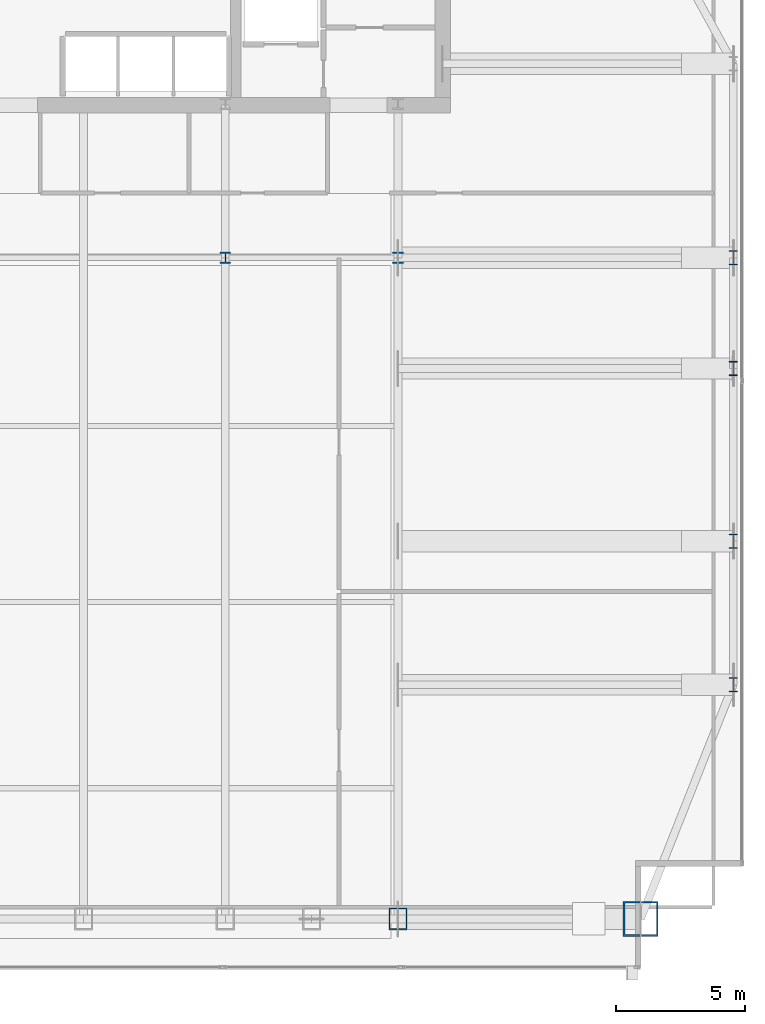
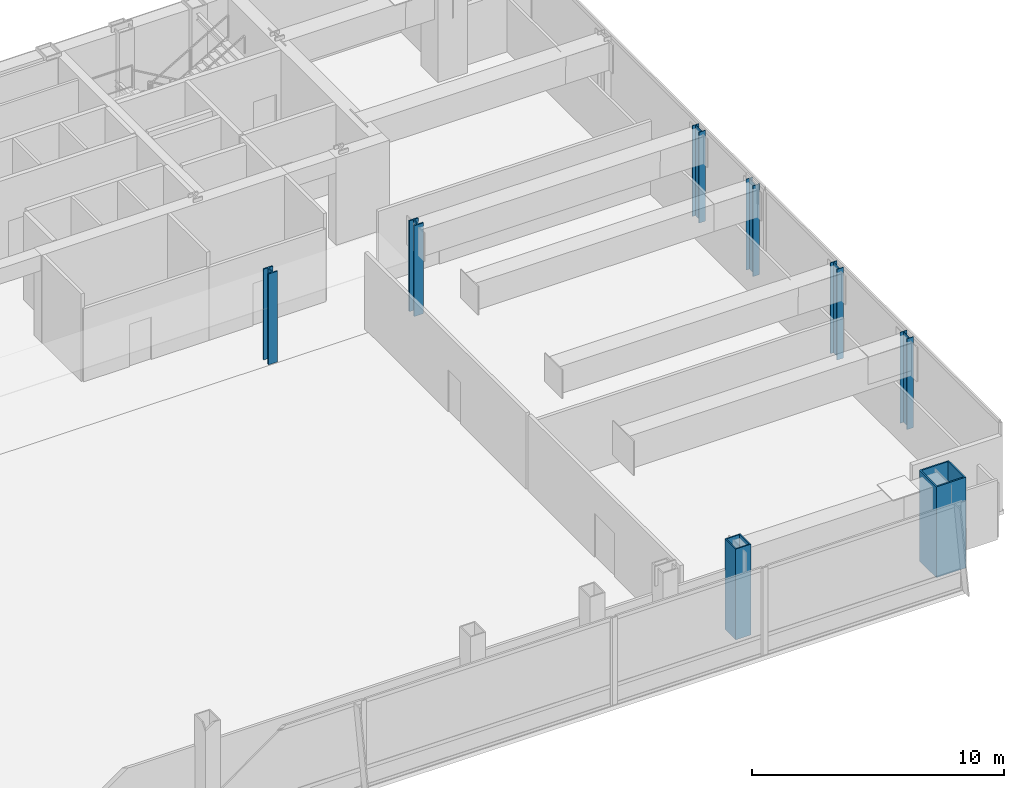
# One storey, part 2 of 25: 8 columns.
"""IFC4 building model written with IfcOpenShell, lengths in metres."""

from ifc_helpers import new_model, si_unit, direction, frame, origin, origin_2d, place, context, subcontext, project, spatial, hollow_rectangle, i_section, extrude, material, material_profile, profile_set, type_object, element, save


model = new_model("IFC4")

# Units and contexts
model_context = context("Model", 3, precision=1e-05, world=origin(), true_north=direction((0.0, 1.0)))
body_context = subcontext(model_context, "Body", "Model", "MODEL_VIEW")
ifc_project = project(units=[si_unit("LENGTHUNIT", "METRE"), si_unit("AREAUNIT", "SQUARE_METRE"), si_unit("VOLUMEUNIT", "CUBIC_METRE"), si_unit("PLANEANGLEUNIT", "RADIAN"), si_unit("MASSUNIT", "GRAM", prefix="KILO")], contexts=[model_context])

# Site, building, storey
site_placement = place(None, origin())
site = spatial("IfcSite", under=ifc_project, at=site_placement, CompositionType="ELEMENT")
building_placement = place(site_placement, origin())
building = spatial("IfcBuilding", under=site, at=building_placement, Name="Khoronbel Lancet Exchange", CompositionType="ELEMENT")
storey_placement = place(building_placement, frame((0.0, 0.0, 184.199951171875)))
storey = spatial("IfcBuildingStorey", under=building, at=storey_placement, Name="L46", CompositionType="ELEMENT", Elevation=184.199951171875)

# Columns
ifc_material_1 = material(Name="Steel S460", Category="steel")
ifc_material_profile_1 = material_profile(ifc_material_1, hollow_rectangle(XDim=0.699951171875, YDim=0.85009765625, WallThickness=0.050048828125, at=origin_2d()), Name="BOX 850x700x50")
ifc_profile_set_1 = profile_set([ifc_material_profile_1], Name="Steel S460")
column_type_1 = type_object("IfcColumnType", Name="COL-EC2", PredefinedType="COLUMN", material=ifc_profile_set_1)
column_1_placement = place(storey_placement, frame((54.675048828125, 10.14990234375, 0.0), z_axis=(0.0, 0.0, 1.0), x_axis=(1.0, 0.0, 0.0)))
element("IfcColumn", 1, at=column_1_placement, inside=storey, type_object=column_type_1, Name="Structural column SC-E2 L46", PredefinedType="COLUMN", context=body_context, shape_type="SweptSolid", body=[
    extrude(hollow_rectangle(XDim=0.699951171875, YDim=0.85009765625, WallThickness=0.050048828125, at=origin_2d()), origin(), (0.0, 0.0, 1.0), 4.400146484375),
])
ifc_material_profile_2 = material_profile(ifc_material_1, i_section(OverallWidth=0.416015625, OverallDepth=0.446044921875, WebThickness=0.0390625, FlangeThickness=0.062744140625, at=origin_2d()), Name="HD 400x509")
ifc_profile_set_2 = profile_set([ifc_material_profile_2], Name="Steel S460")
column_type_2 = type_object("IfcColumnType", Name="COL-IC2", PredefinedType="COLUMN", material=ifc_profile_set_2)
for number, where, z_axis, x_axis, name in (
    (2, (48.0, 35.699951171875, 0.0), (0.0, 0.0, 1.0), (1.0, 0.0, 0.0), "Spine gravity column TC3 L46"),
    (3, (54.675048828125, 35.699951171875, 0.0), (0.0, 0.0, 1.0), (1.0, 0.0, 0.0), "Spine gravity column TC4 L46"),
):
    element("IfcColumn", number, at=place(storey_placement, frame(where, z_axis=z_axis, x_axis=x_axis)), inside=storey, type_object=column_type_2, Name=name, PredefinedType="COLUMN", context=body_context, shape_type="SweptSolid", body=[
        extrude(i_section(OverallWidth=0.416015625, OverallDepth=0.446044921875, WebThickness=0.0390625, FlangeThickness=0.062744140625, at=origin_2d()), origin(), (0.0, 0.0, 1.0), 4.400146484375),
    ])
ifc_material_2 = material(Name="Steel S355", Category="steel")
ifc_material_profile_3 = material_profile(ifc_material_2, i_section(OverallWidth=0.300048828125, OverallDepth=0.550048828125, WebThickness=0.014892578125, FlangeThickness=0.029052734375, at=origin_2d()), Name="HEB 550")
ifc_profile_set_3 = profile_set([ifc_material_profile_3], Name="Steel S355")
column_type_3 = type_object("IfcColumnType", Name="COL-LC1", PredefinedType="COLUMN", material=ifc_profile_set_3)
for number, where, z_axis, x_axis, name in (
    (4, (67.6298828125, 19.199951171875, 0.0), (0.0, 0.0, 1.0), (1.0, 0.0, 0.0), "Structural column EC-1 L46"),
    (5, (67.6298828125, 24.75, 0.0), (0.0, 0.0, 1.0), (1.0, 0.0, 0.0), "Structural column EC-2 L46"),
    (6, (67.6298828125, 31.425048828125, 0.0), (0.0, 0.0, 1.0), (1.0, 0.0, 0.0), "Structural column EC-M L46"),
    (7, (67.6298828125, 35.699951171875, 0.0), (0.0, 0.0, 1.0), (1.0, 0.0, 0.0), "Structural column EC-3 L46"),
):
    element("IfcColumn", number, at=place(storey_placement, frame(where, z_axis=z_axis, x_axis=x_axis)), inside=storey, type_object=column_type_3, Name=name, PredefinedType="COLUMN", context=body_context, shape_type="SweptSolid", body=[
        extrude(i_section(OverallWidth=0.300048828125, OverallDepth=0.550048828125, WebThickness=0.014892578125, FlangeThickness=0.029052734375, at=origin_2d()), origin(), (0.0, 0.0, 1.0), 4.400146484375),
    ])
ifc_material_profile_4 = material_profile(ifc_material_1, hollow_rectangle(XDim=1.35009765625, YDim=1.35009765625, WallThickness=0.06494140625, at=origin_2d()), Name="BOX 1350x1350x65")
ifc_profile_set_4 = profile_set([ifc_material_profile_4], Name="Steel S460")
column_type_4 = type_object("IfcColumnType", Name="COL-MC4", PredefinedType="COLUMN", material=ifc_profile_set_4)
column_2_placement = place(storey_placement, frame((64.050048828125, 10.14990234375, 0.0), z_axis=(0.0, 0.0, 1.0), x_axis=(1.0, 0.0, 0.0)))
element("IfcColumn", 8, at=column_2_placement, inside=storey, type_object=column_type_4, Name="Structural column MC-SE L46", PredefinedType="COLUMN", context=body_context, shape_type="SweptSolid", body=[
    extrude(hollow_rectangle(XDim=1.35009765625, YDim=1.35009765625, WallThickness=0.06494140625, at=origin_2d()), origin(), (0.0, 0.0, 1.0), 4.400146484375),
])

save(model, "model.ifc")
